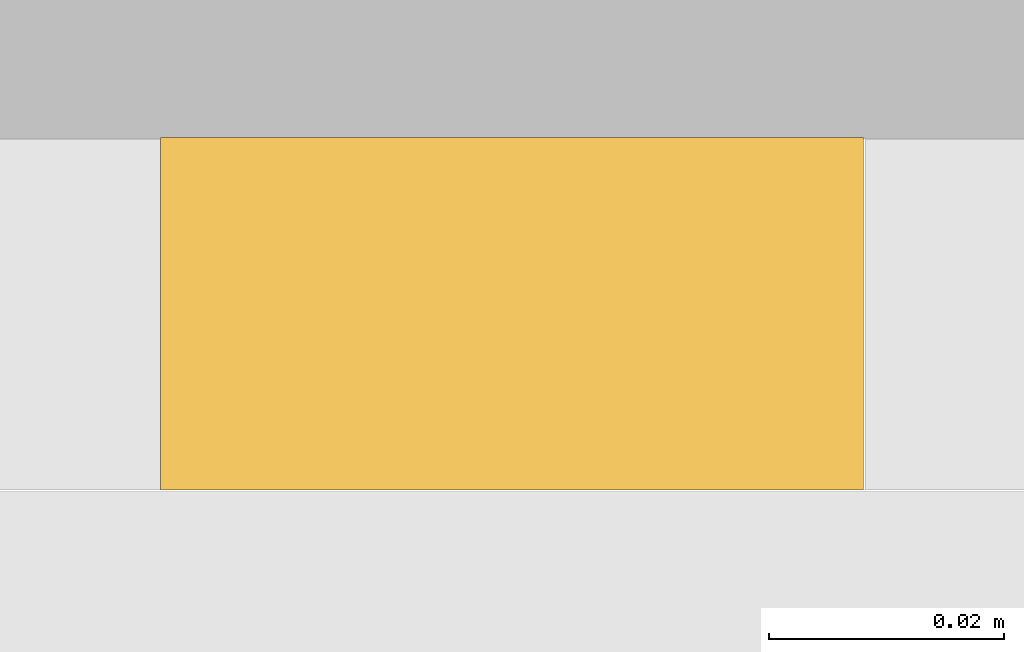
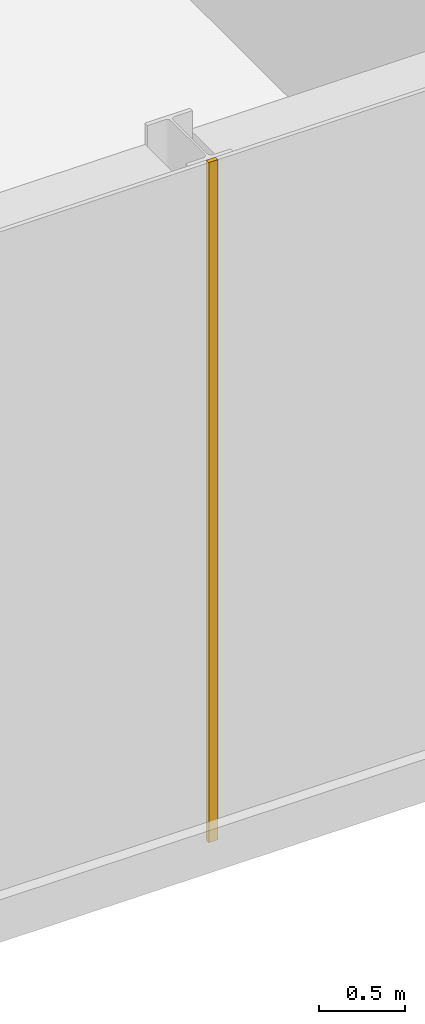
# One storey, part 55 of 61: 1 covering.
"""IFC4 building model written with IfcOpenShell, lengths in metres."""

import ifcopenshell
import ifcopenshell.guid

model = None  # the IFC model being written
_history = None  # IfcOwnerHistory: only IFC2X3 demands one
_inside = {}  # id of a spatial element -> (the spatial element, [elements in it])
_under = {}  # id of a project, library or spatial element -> (it, [spatial elements below it])
_declared = {}  # id of a project -> (the project, [libraries it declares])
_typed = {}  # id of a type object -> (the type object, [elements of that type])
_made_of = {}  # id of a material, layer set ... -> (it, [elements and type objects made of it])


def new_model(schema):
    """Start an empty IFC model of exactly this schema.

    Asked for "IFC4X3", IfcOpenShell would pick the latest addendum, in which some entities
    have other attributes; the version numbers below select the first issue.
    IFC2X3 requires an IfcOwnerHistory on every rooted entity: one is made here for all.
    """
    global model, _history
    if schema == "IFC4X3":
        model = ifcopenshell.file(schema_version=(4, 3, 0, 0))
    else:
        model = ifcopenshell.file(schema=schema)
    _inside.clear()
    _under.clear()
    _declared.clear()
    _typed.clear()
    _made_of.clear()
    _history = None
    if model.schema == "IFC2X3":
        org = make("IfcOrganization", Name="unknown")
        user = make(
            "IfcPersonAndOrganization",
            ThePerson=make("IfcPerson", FamilyName="unknown"),
            TheOrganization=org,
        )
        app = make(
            "IfcApplication",
            ApplicationDeveloper=org,
            Version="unknown",
            ApplicationFullName="unknown",
            ApplicationIdentifier="unknown",
        )
        _history = make(
            "IfcOwnerHistory",
            OwningUser=user,
            OwningApplication=app,
            ChangeAction="ADDED",
            CreationDate=0,
        )
    return model


def make(cls, **values):
    """One entity of the class cls with the attributes given. An attribute that is None is left unset."""
    return model.create_entity(
        cls, **{name: value for name, value in values.items() if value is not None}
    )


def rooted(cls, **values):
    """An entity with a GlobalId (a new one), such as an element, a storey or a relation."""
    return make(cls, GlobalId=ifcopenshell.guid.new(), OwnerHistory=_history, **values)


def si_unit(unit_type, name, prefix=None):
    """IfcSIUnit, for example si_unit("LENGTHUNIT", "METRE", prefix="MILLI")."""
    return make("IfcSIUnit", UnitType=unit_type, Prefix=prefix, Name=name)


def assignment(units):
    """IfcUnitAssignment: the units of a project."""
    return None if units is None else make("IfcUnitAssignment", Units=units)


def point(xyz):
    """IfcCartesianPoint."""
    return None if xyz is None else make("IfcCartesianPoint", Coordinates=xyz)


def direction(xyz):
    """IfcDirection."""
    return None if xyz is None else make("IfcDirection", DirectionRatios=xyz)


def frame(location, z_axis=None, x_axis=None):
    """IfcAxis2Placement3D, a coordinate frame: its origin and axes. An axis left out is left unset."""
    return make(
        "IfcAxis2Placement3D",
        Location=point(location),
        Axis=direction(z_axis),
        RefDirection=direction(x_axis),
    )


def frame_2d(location, x_axis=None):
    """IfcAxis2Placement2D, a coordinate frame in the plane: its origin and x axis."""
    return make(
        "IfcAxis2Placement2D", Location=point(location), RefDirection=direction(x_axis)
    )


def origin():
    """The frame at (0, 0, 0) with its axes left unset."""
    return frame((0.0, 0.0, 0.0))


def origin_2d():
    """The frame at (0, 0) in the plane with its x axis left unset."""
    return frame_2d((0.0, 0.0))


def place(relative_to, where):
    """IfcLocalPlacement: puts the frame where relative to a parent placement (None: the world)."""
    return make(
        "IfcLocalPlacement", PlacementRelTo=relative_to, RelativePlacement=where
    )


def context(
    kind, dimensions, precision=None, world=None, true_north=None, identifier=None
):
    """IfcGeometricRepresentationContext, for example the 3D "Model" context."""
    return make(
        "IfcGeometricRepresentationContext",
        ContextIdentifier=identifier,
        ContextType=kind,
        CoordinateSpaceDimension=dimensions,
        Precision=precision,
        WorldCoordinateSystem=world,
        TrueNorth=true_north,
    )


def subcontext(parent, identifier, kind, view, scale=None):
    """IfcGeometricRepresentationSubContext, for example "Body" below "Model"."""
    return make(
        "IfcGeometricRepresentationSubContext",
        ContextIdentifier=identifier,
        ContextType=kind,
        ParentContext=parent,
        TargetScale=scale,
        TargetView=view,
    )


def project(units=None, contexts=None):
    """IfcProject with its units and contexts."""
    return rooted(
        "IfcProject",
        Name="project",
        RepresentationContexts=contexts,
        UnitsInContext=assignment(units),
    )


def spatial(cls, under=None, at=None, **own):
    """A site, building, storey or space (cls), placed at a placement, below another one or the project."""
    s = rooted(cls, ObjectPlacement=at, **own)
    if under is not None:
        _under.setdefault(under.id(), (under, []))[1].append(s)
    return s


def profile(cls, at=None, kind="AREA", **sizes):
    """A parametric profile (cls). Its sizes go by their IFC names, for example OverallWidth=200.0."""
    return make(cls, ProfileType=kind, Position=at, **sizes)


def rectangle(**sizes):
    """IfcRectangleProfileDef."""
    return profile("IfcRectangleProfileDef", **sizes)


def extrude(swept, where, along, depth):
    """IfcExtrudedAreaSolid: the profile swept, set in the frame where, extruded along a direction by depth."""
    return make(
        "IfcExtrudedAreaSolid",
        SweptArea=swept,
        Position=where,
        ExtrudedDirection=direction(along),
        Depth=depth,
    )


def shape(context_of_items, identifier, shape_type, items):
    """IfcShapeRepresentation: the items that make up one representation, for example the "Body"."""
    return make(
        "IfcShapeRepresentation",
        ContextOfItems=context_of_items,
        RepresentationIdentifier=identifier,
        RepresentationType=shape_type,
        Items=items,
    )


def material(Name=None, Category=None):
    """IfcMaterial."""
    return make("IfcMaterial", Name=Name, Category=Category)


def layer(
    of_material, thickness, ventilated=None, Name=None, Category=None, Priority=None
):
    """IfcMaterialLayer: one layer of a wall or slab, of a material (None: an air gap)."""
    return make(
        "IfcMaterialLayer",
        Material=of_material,
        LayerThickness=thickness,
        IsVentilated=ventilated,
        Name=Name,
        Category=Category,
        Priority=Priority,
    )


def layer_set(layers, Name=None):
    """IfcMaterialLayerSet."""
    return make("IfcMaterialLayerSet", MaterialLayers=layers, LayerSetName=Name)


def made_of(thing, what):
    """Note that an element or type object is made of a material, layer set ...; save() writes the relation."""
    if what is not None:
        _made_of.setdefault(what.id(), (what, []))[1].append(thing)
    return thing


def type_object(cls, material=None, **own):
    """A type object (cls), such as IfcWallType, which elements share."""
    return made_of(rooted(cls, **own), material)


def element(
    cls,
    number,
    at=None,
    inside=None,
    cuts=None,
    type_object=None,
    material=None,
    context=None,
    identifier="Body",
    shape_type=None,
    held_by="IfcProductDefinitionShape",
    body=None,
    shapes=None,
    **own,
):
    """One element of the class cls, such as IfcWall. Its Tag is "e" and its number.

    at: its placement. inside: the storey or other place that contains it. cuts: it is an
    opening in that element (IfcRelVoidsElement). A single representation is given by context,
    identifier, shape_type and body (its items); several are given by shapes. held_by: the class
    of the entity that holds the representations. save() writes the other relations.
    """
    e = rooted(cls, Tag="e%d" % number, ObjectPlacement=at, **own)
    if body is not None:
        shapes = [shape(context, identifier, shape_type, body)]
    if shapes is not None:
        e.Representation = make(held_by, Representations=shapes)
    if inside is not None:
        _inside.setdefault(inside.id(), (inside, []))[1].append(e)
    if cuts is not None:
        rooted(
            "IfcRelVoidsElement", RelatingBuildingElement=cuts, RelatedOpeningElement=e
        )
    if type_object is not None:
        _typed.setdefault(type_object.id(), (type_object, []))[1].append(e)
    return made_of(e, material)


def aggregate(whole, parts):
    """IfcRelAggregates: a whole, such as a stair, and the parts it consists of."""
    return rooted("IfcRelAggregates", RelatingObject=whole, RelatedObjects=parts)


def save(model, path):
    """Write the relations noted so far, then the file.

    IfcRelAggregates (storeys below a building ...), IfcRelContainedInSpatialStructure (elements
    in a storey), IfcRelDefinesByType, IfcRelAssociatesMaterial and IfcRelDeclares: one each for
    every whole, place, type object, material and project.
    """
    for whole, parts in _under.values():
        aggregate(whole, parts)
    for where, things in _inside.values():
        rooted(
            "IfcRelContainedInSpatialStructure",
            RelatedElements=things,
            RelatingStructure=where,
        )
    for kind, things in _typed.values():
        rooted("IfcRelDefinesByType", RelatedObjects=things, RelatingType=kind)
    for what, things in _made_of.values():
        rooted("IfcRelAssociatesMaterial", RelatedObjects=things, RelatingMaterial=what)
    for by, libraries in _declared.values():
        rooted("IfcRelDeclares", RelatingContext=by, RelatedDefinitions=libraries)
    model.write(path)


model = new_model("IFC4")

# Units and contexts
model_context = context("Model", 3, precision=1e-05, world=origin(), true_north=direction((0.0, 1.0)))
body_context = subcontext(model_context, "Body", "Model", "MODEL_VIEW")
ifc_project = project(units=[si_unit("LENGTHUNIT", "METRE"), si_unit("AREAUNIT", "SQUARE_METRE"), si_unit("VOLUMEUNIT", "CUBIC_METRE"), si_unit("PLANEANGLEUNIT", "RADIAN"), si_unit("MASSUNIT", "GRAM", prefix="KILO")], contexts=[model_context])

# Site, building, storey
site_placement = place(None, origin())
site = spatial("IfcSite", under=ifc_project, at=site_placement, CompositionType="ELEMENT")
building_placement = place(site_placement, origin())
building = spatial("IfcBuilding", under=site, at=building_placement, Name="Galleria Vessillo Department Store", CompositionType="ELEMENT")
storey_placement = place(building_placement, frame((0.0, 0.0, 11.39990234375)))
storey = spatial("IfcBuildingStorey", under=building, at=storey_placement, Name="L02", CompositionType="ELEMENT", Elevation=11.39990234375)

# Covering
ifc_material = material(Name="Lime plaster (intonaco) ochre")
ifc_layer = layer(ifc_material, 0.030029296875)
ifc_layer_set = layer_set([ifc_layer], Name="Lime plaster (intonaco) ochre")
covering_type = type_object("IfcCoveringType", Name="Lime plaster render 30 mm", PredefinedType="CLADDING", material=ifc_layer_set)
covering_placement = place(storey_placement, frame((92.39990234375, -0.264892578125, 0.0), z_axis=(0.0, 0.0, 1.0), x_axis=(1.0, 0.0, 0.0)))
element("IfcCovering", 1, at=covering_placement, inside=storey, type_object=covering_type, Name="Joint block Wall cladding S-PS-L02-07", PredefinedType="CLADDING", context=body_context, shape_type="SweptSolid", body=[
    extrude(rectangle(XDim=0.059814453125, YDim=0.030029296875, at=origin_2d()), origin(), (0.0, 0.0, 1.0), 4.800048828125),
])

save(model, "model.ifc")
